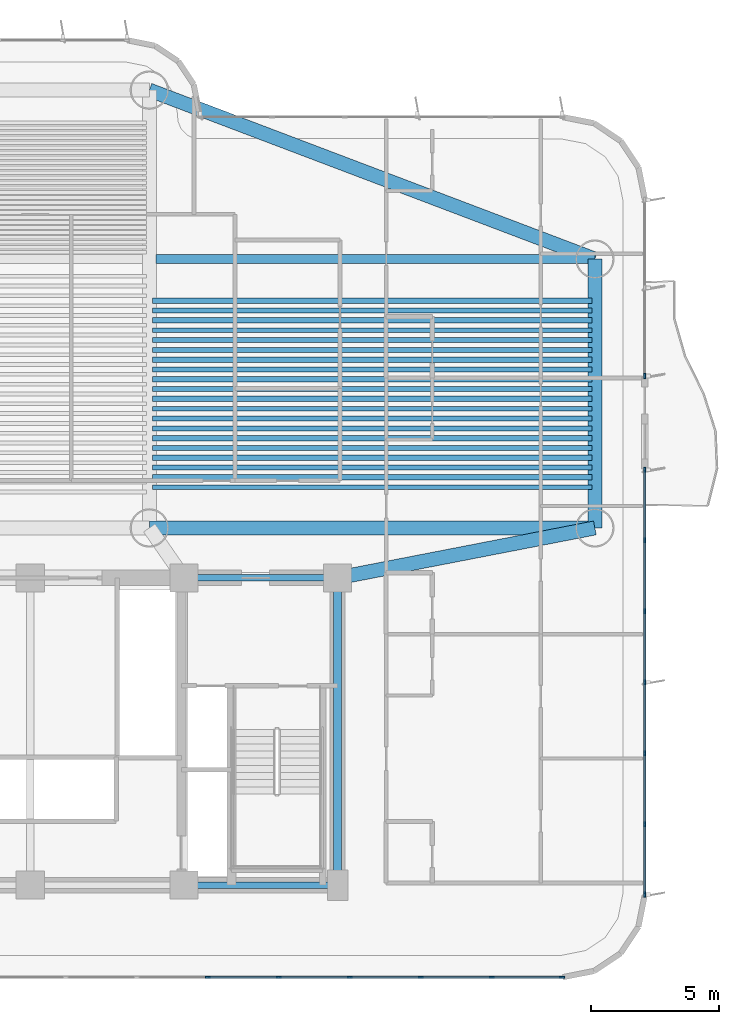
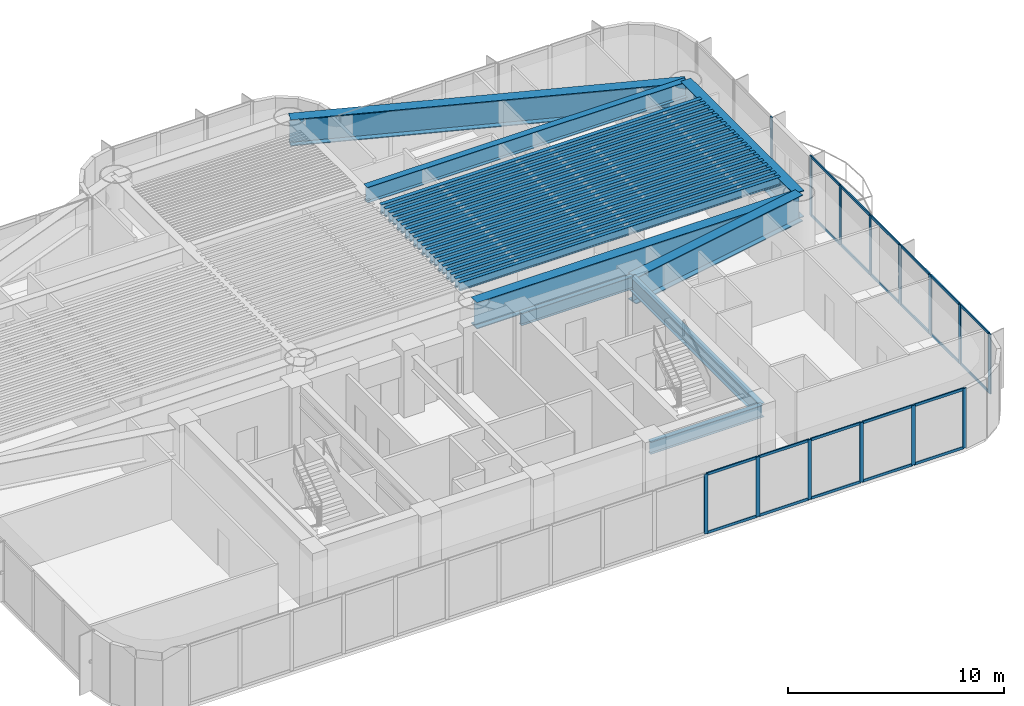
# One storey, part 4 of 17: 36 members, 28 beams, 3 elements without a shape of their own.
"""IFC4 building model written with IfcOpenShell, lengths in metres."""

from ifc_helpers import new_model, si_unit, direction, frame, origin, origin_2d, place, context, subcontext, project, spatial, rectangle, i_section, extrude, source, transform, mapped, material, layer, layer_set, material_profile, profile_set, type_object, element, aggregate, save


model = new_model("IFC4")

# Units and contexts
model_context = context("Model", 3, precision=1e-05, world=origin(), true_north=direction((0.0, 1.0)))
body_context = subcontext(model_context, "Body", "Model", "MODEL_VIEW")
ifc_project = project(units=[si_unit("LENGTHUNIT", "METRE"), si_unit("AREAUNIT", "SQUARE_METRE"), si_unit("VOLUMEUNIT", "CUBIC_METRE"), si_unit("PLANEANGLEUNIT", "RADIAN"), si_unit("MASSUNIT", "GRAM", prefix="KILO")], contexts=[model_context])

# Site, building, storey
site_placement = place(None, origin())
site = spatial("IfcSite", under=ifc_project, at=site_placement, CompositionType="ELEMENT")
building_placement = place(site_placement, origin())
building = spatial("IfcBuilding", under=site, at=building_placement, Name="Brelvock Crest Care Tower", CompositionType="ELEMENT")
storey_placement = place(building_placement, frame((0.0, 0.0, 76.139892578125)))
storey = spatial("IfcBuildingStorey", under=building, at=storey_placement, Name="L19", CompositionType="ELEMENT", Elevation=76.139892578125)

# Beams
ifc_material_1 = material(Name="Steel Grade 350", Category="steel")
ifc_material_profile_1 = material_profile(ifc_material_1, i_section(OverallWidth=0.25, OverallDepth=0.699951171875, WebThickness=0.011962890625, FlangeThickness=0.02001953125, at=origin_2d()), Name="700WB150")
ifc_profile_set_1 = profile_set([ifc_material_profile_1], Name="Steel Grade 350")
beam_type_1 = type_object("IfcBeamType", Name="BM-G4", PredefinedType="BEAM", material=ifc_profile_set_1)
shared_shape_1 = source(origin(), body_context, "Body", "SweptSolid", [
    extrude(i_section(OverallWidth=0.25, OverallDepth=0.699951171875, WebThickness=0.011962890625, FlangeThickness=0.02001953125, at=origin_2d()), origin(), (0.0, 0.0, 1.0), 6.0),
])
for number, where, z_axis, x_axis, name in (
    (1, (42.0, 6.0, 3.022216796875), (1.0, 0.0, 0.0), (0.0, 1.0, 0.0), "BM-CORES-L19-4"),
    (2, (42.0, 18.0, 3.022216796875), (1.0, 0.0, 0.0), (0.0, 1.0, 0.0), "BM-COREN-L19-4"),
):
    element("IfcBeam", number, at=place(storey_placement, frame(where, z_axis=z_axis, x_axis=x_axis)), inside=storey, type_object=beam_type_1, Name=name, PredefinedType="BEAM", context=body_context, shape_type="MappedRepresentation", body=[
        mapped(shared_shape_1, transform((0.0, 0.0, 0.0), x_axis=(1.0, 0.0, 0.0), y_axis=(0.0, 1.0, 0.0), z_axis=(0.0, 0.0, 1.0), scale=1.0)),
    ])
ifc_material_profile_2 = material_profile(ifc_material_1, i_section(OverallWidth=0.300048828125, OverallDepth=0.800048828125, WebThickness=0.013916015625, FlangeThickness=0.02197265625, at=origin_2d()), Name="800WB192")
ifc_profile_set_2 = profile_set([ifc_material_profile_2], Name="Steel Grade 350")
beam_type_2 = type_object("IfcBeamType", Name="BM-G5", PredefinedType="BEAM", material=ifc_profile_set_2)
shared_shape_2 = source(origin(), body_context, "Body", "SweptSolid", [
    extrude(i_section(OverallWidth=0.300048828125, OverallDepth=0.800048828125, WebThickness=0.013916015625, FlangeThickness=0.02197265625, at=origin_2d()), origin(), (0.0, 0.0, 1.0), 12.0),
])
beam_1_placement = place(storey_placement, frame((48.0, 6.0, 2.97216796875), z_axis=(0.0, 1.0, 0.0), x_axis=(-1.0, 0.0, 0.0)))
element("IfcBeam", 3, at=beam_1_placement, inside=storey, type_object=beam_type_2, Name="BM-COREX-L19-5", PredefinedType="BEAM", context=body_context, shape_type="MappedRepresentation", body=[
    mapped(shared_shape_2, transform((0.0, 0.0, 0.0), x_axis=(1.0, 0.0, 0.0), y_axis=(0.0, 1.0, 0.0), z_axis=(0.0, 0.0, 1.0), scale=1.0)),
])
ifc_material_profile_3 = material_profile(ifc_material_1, i_section(OverallWidth=0.208984375, OverallDepth=0.532958984375, WebThickness=0.01025390625, FlangeThickness=0.015625, FilletRadius=0.013916015625, at=origin_2d()), Name="530UB92.4")
ifc_profile_set_3 = profile_set([ifc_material_profile_3], Name="Steel Grade 350")
beam_type_3 = type_object("IfcBeamType", Name="BM-G2", PredefinedType="BEAM", material=ifc_profile_set_3)
shared_shape_3 = source(origin(), body_context, "Body", "SweptSolid", [
    extrude(i_section(OverallWidth=0.208984375, OverallDepth=0.532958984375, WebThickness=0.01025390625, FlangeThickness=0.015625, FilletRadius=0.013916015625, at=origin_2d()), origin(), (0.0, 0.0, 1.0), 17.170166015625),
])
for number, where, z_axis, x_axis, name in (
    (4, (40.764892578125, 21.924072265625, 3.105712890625), (1.0, 0.0, 0.0), (0.0, 1.0, 0.0), "BM-JE-L19-5"),
    (5, (40.764892578125, 22.6904296875, 3.105712890625), (1.0, 0.0, 0.0), (0.0, 1.0, 0.0), "BM-JE-L19-7"),
    (6, (40.764892578125, 23.45703125, 3.105712890625), (1.0, 0.0, 0.0), (0.0, 1.0, 0.0), "BM-JE-L19-9"),
    (7, (40.764892578125, 24.223388671875, 3.105712890625), (1.0, 0.0, 0.0), (0.0, 1.0, 0.0), "BM-JE-L19-11"),
    (8, (40.764892578125, 24.989990234375, 3.105712890625), (1.0, 0.0, 0.0), (0.0, 1.0, 0.0), "BM-JE-L19-13"),
    (9, (40.764892578125, 25.756591796875, 3.105712890625), (1.0, 0.0, 0.0), (0.0, 1.0, 0.0), "BM-JE-L19-15"),
    (10, (40.764892578125, 26.52294921875, 3.105712890625), (1.0, 0.0, 0.0), (0.0, 1.0, 0.0), "BM-JE-L19-17"),
    (11, (40.764892578125, 27.28955078125, 3.105712890625), (1.0, 0.0, 0.0), (0.0, 1.0, 0.0), "BM-JE-L19-19"),
    (12, (40.764892578125, 28.055908203125, 3.105712890625), (1.0, 0.0, 0.0), (0.0, 1.0, 0.0), "BM-JE-L19-21"),
    (13, (40.764892578125, 28.822509765625, 3.105712890625), (1.0, 0.0, 0.0), (0.0, 1.0, 0.0), "BM-JE-L19-23"),
):
    element("IfcBeam", number, at=place(storey_placement, frame(where, z_axis=z_axis, x_axis=x_axis)), inside=storey, type_object=beam_type_3, Name=name, PredefinedType="BEAM", context=body_context, shape_type="MappedRepresentation", body=[
        mapped(shared_shape_3, transform((0.0, 0.0, 0.0), x_axis=(1.0, 0.0, 0.0), y_axis=(0.0, 1.0, 0.0), z_axis=(0.0, 0.0, 1.0), scale=1.0)),
    ])
ifc_material_profile_4 = material_profile(ifc_material_1, i_section(OverallWidth=0.19091796875, OverallDepth=0.4599609375, WebThickness=0.010009765625, FlangeThickness=0.01611328125, FilletRadius=0.011474609375, at=origin_2d()), Name="460UB82.1")
ifc_profile_set_4 = profile_set([ifc_material_profile_4], Name="Steel Grade 350")
beam_type_4 = type_object("IfcBeamType", Name="BM-G3", PredefinedType="BEAM", material=ifc_profile_set_4)
shared_shape_4 = source(origin(), body_context, "Body", "SweptSolid", [
    extrude(i_section(OverallWidth=0.19091796875, OverallDepth=0.4599609375, WebThickness=0.010009765625, FlangeThickness=0.01611328125, FilletRadius=0.011474609375, at=origin_2d()), origin(), (0.0, 0.0, 1.0), 17.170166015625),
])
for number, where, z_axis, x_axis, name in (
    (14, (40.764892578125, 21.540771484375, 3.14208984375), (1.0, 0.0, 0.0), (0.0, 1.0, 0.0), "BM-JE-L19-4"),
    (15, (40.764892578125, 22.30712890625, 3.14208984375), (1.0, 0.0, 0.0), (0.0, 1.0, 0.0), "BM-JE-L19-6"),
    (16, (40.764892578125, 23.07373046875, 3.14208984375), (1.0, 0.0, 0.0), (0.0, 1.0, 0.0), "BM-JE-L19-8"),
    (17, (40.764892578125, 23.840087890625, 3.14208984375), (1.0, 0.0, 0.0), (0.0, 1.0, 0.0), "BM-JE-L19-10"),
    (18, (40.764892578125, 24.606689453125, 3.14208984375), (1.0, 0.0, 0.0), (0.0, 1.0, 0.0), "BM-JE-L19-12"),
    (19, (40.764892578125, 25.373291015625, 3.14208984375), (1.0, 0.0, 0.0), (0.0, 1.0, 0.0), "BM-JE-L19-14"),
    (20, (40.764892578125, 26.1396484375, 3.14208984375), (1.0, 0.0, 0.0), (0.0, 1.0, 0.0), "BM-JE-L19-16"),
    (21, (40.764892578125, 26.90625, 3.14208984375), (1.0, 0.0, 0.0), (0.0, 1.0, 0.0), "BM-JE-L19-18"),
    (22, (40.764892578125, 27.6728515625, 3.14208984375), (1.0, 0.0, 0.0), (0.0, 1.0, 0.0), "BM-JE-L19-20"),
    (23, (40.764892578125, 28.439208984375, 3.14208984375), (1.0, 0.0, 0.0), (0.0, 1.0, 0.0), "BM-JE-L19-22"),
):
    element("IfcBeam", number, at=place(storey_placement, frame(where, z_axis=z_axis, x_axis=x_axis)), inside=storey, type_object=beam_type_4, Name=name, PredefinedType="BEAM", context=body_context, shape_type="MappedRepresentation", body=[
        mapped(shared_shape_4, transform((0.0, 0.0, 0.0), x_axis=(1.0, 0.0, 0.0), y_axis=(0.0, 1.0, 0.0), z_axis=(0.0, 0.0, 1.0), scale=1.0)),
    ])
ifc_material_profile_5 = material_profile(ifc_material_1, i_section(OverallWidth=0.550048828125, OverallDepth=1.5, WebThickness=0.02392578125, FlangeThickness=0.044921875, at=origin_2d()), Name="1500TG580")
ifc_profile_set_5 = profile_set([ifc_material_profile_5], Name="Steel Grade 350")
beam_type_5 = type_object("IfcBeamType", Name="BM-TG2", PredefinedType="USERDEFINED", material=ifc_profile_set_5)
shared_shape_5 = source(origin(), body_context, "Body", "SweptSolid", [
    extrude(i_section(OverallWidth=0.550048828125, OverallDepth=1.5, WebThickness=0.02392578125, FlangeThickness=0.044921875, at=origin_2d()), origin(), (0.0, 0.0, 1.0), 10.5),
])
beam_2_placement = place(storey_placement, frame((58.050048828125, 19.949951171875, 2.6220703125), z_axis=(0.0, 1.0, 0.0), x_axis=(-1.0, 0.0, 0.0)))
element("IfcBeam", 24, at=beam_2_placement, inside=storey, type_object=beam_type_5, Name="BM-TWR-L19-02", ObjectType="GIRDER", PredefinedType="USERDEFINED", context=body_context, shape_type="MappedRepresentation", body=[
    mapped(shared_shape_5, transform((0.0, 0.0, 0.0), x_axis=(1.0, 0.0, 0.0), y_axis=(0.0, 1.0, 0.0), z_axis=(0.0, 0.0, 1.0), scale=1.0)),
])
shared_shape_6 = source(origin(), body_context, "Body", "SweptSolid", [
    extrude(i_section(OverallWidth=0.550048828125, OverallDepth=1.5, WebThickness=0.02392578125, FlangeThickness=0.044921875, at=origin_2d()), origin(), (0.0, 0.0, 1.0), 17.400146484375),
])
beam_3_placement = place(storey_placement, frame((40.64990234375, 19.949951171875, 2.6220703125), z_axis=(1.0, 0.0, 0.0), x_axis=(0.0, 1.0, 0.0)))
element("IfcBeam", 25, at=beam_3_placement, inside=storey, type_object=beam_type_5, Name="BM-TWR-L19-04", ObjectType="GIRDER", PredefinedType="USERDEFINED", context=body_context, shape_type="MappedRepresentation", body=[
    mapped(shared_shape_6, transform((0.0, 0.0, 0.0), x_axis=(1.0, 0.0, 0.0), y_axis=(0.0, 1.0, 0.0), z_axis=(0.0, 0.0, 1.0), scale=1.0)),
])
shared_shape_7 = source(origin(), body_context, "Body", "SweptSolid", [
    extrude(i_section(OverallWidth=0.550048828125, OverallDepth=1.5, WebThickness=0.02392578125, FlangeThickness=0.044921875, at=origin_2d()), origin(), (0.0, 0.0, 1.0), 18.60986328125),
])
beam_4_placement = place(storey_placement, frame((40.64990234375, 37.050048828125, 2.6220703125), z_axis=(0.934996776275, -0.3546562115, 0.0), x_axis=(0.3546562115, 0.934996776275, 0.0)))
element("IfcBeam", 26, at=beam_4_placement, inside=storey, type_object=beam_type_5, Name="BM-TWR-L19-07", ObjectType="GIRDER", PredefinedType="USERDEFINED", context=body_context, shape_type="MappedRepresentation", body=[
    mapped(shared_shape_7, transform((0.0, 0.0, 0.0), x_axis=(1.0, 0.0, 0.0), y_axis=(0.0, 1.0, 0.0), z_axis=(0.0, 0.0, 1.0), scale=1.0)),
])
ifc_material_profile_6 = material_profile(ifc_material_1, i_section(OverallWidth=0.35009765625, OverallDepth=0.89990234375, WebThickness=0.01611328125, FlangeThickness=0.028076171875, at=origin_2d()), Name="900WB257")
ifc_profile_set_6 = profile_set([ifc_material_profile_6], Name="Steel Grade 350")
beam_type_6 = type_object("IfcBeamType", Name="BM-G6", PredefinedType="BEAM", material=ifc_profile_set_6)
shared_shape_8 = source(origin(), body_context, "Body", "SweptSolid", [
    extrude(i_section(OverallWidth=0.35009765625, OverallDepth=0.89990234375, WebThickness=0.01611328125, FlangeThickness=0.028076171875, at=origin_2d()), origin(), (0.0, 0.0, 1.0), 17.14013671875),
])
beam_5_placement = place(storey_placement, frame((40.909912109375, 30.449951171875, 2.922119140625), z_axis=(1.0, 0.0, 0.0), x_axis=(0.0, 1.0, 0.0)))
element("IfcBeam", 27, at=beam_5_placement, inside=storey, type_object=beam_type_6, Name="BM-TIE-L19-E", PredefinedType="BEAM", context=body_context, shape_type="MappedRepresentation", body=[
    mapped(shared_shape_8, transform((0.0, 0.0, 0.0), x_axis=(1.0, 0.0, 0.0), y_axis=(0.0, 1.0, 0.0), z_axis=(0.0, 0.0, 1.0), scale=1.0)),
])
shared_shape_9 = source(origin(), body_context, "Body", "SweptSolid", [
    extrude(i_section(OverallWidth=0.550048828125, OverallDepth=1.5, WebThickness=0.02392578125, FlangeThickness=0.044921875, at=origin_2d()), origin(), (0.0, 0.0, 1.0), 10.237548828125),
])
beam_6_placement = place(storey_placement, frame((48.0, 18.0, 2.6220703125), z_axis=(0.981692632568, 0.190471979991, 0.0), x_axis=(-0.190471979991, 0.981692632568, 0.0)))
element("IfcBeam", 28, at=beam_6_placement, inside=storey, type_object=beam_type_5, Name="BM-THRO-E-L19", ObjectType="GIRDER", PredefinedType="USERDEFINED", context=body_context, shape_type="MappedRepresentation", body=[
    mapped(shared_shape_9, transform((0.0, 0.0, 0.0), x_axis=(1.0, 0.0, 0.0), y_axis=(0.0, 1.0, 0.0), z_axis=(0.0, 0.0, 1.0), scale=1.0)),
])

# Curtain wall, members
ifc_material_2 = material(Name="Dark Glass Double Glazed Low-E", Category="glass")
ifc_layer = layer(ifc_material_2, 0.195068359375, Name="CWS-2")
ifc_layer_set = layer_set([ifc_layer], Name="Dark Glass Double Glazed Low-E")
curtain_wall_type = type_object("IfcCurtainWallType", Name="CWS-2", PredefinedType="NOTDEFINED", material=ifc_layer_set)
curtain_wall_1_placement = place(storey_placement, origin())
curtain_wall_1 = element("IfcCurtainWall", 29, at=curtain_wall_1_placement, inside=storey, type_object=curtain_wall_type, Name="L19 Curtain Wall E08", PredefinedType="NOTDEFINED")
ifc_material_3 = material(Name="Aluminium 6063-T6", Category="aluminium")
ifc_material_profile_7 = material_profile(ifc_material_3, rectangle(XDim=0.06494140625, YDim=0.14990234375, at=origin_2d()), Name="ALU65x150")
ifc_profile_set_7 = profile_set([ifc_material_profile_7], Name="Aluminium 6063-T6")
member_type_1 = type_object("IfcMemberType", Name="CWT-1", PredefinedType="USERDEFINED", material=ifc_profile_set_7)
shared_shape_10 = source(origin(), body_context, "Body", "SweptSolid", [
    extrude(rectangle(XDim=0.06494140625, YDim=0.14990234375, at=origin_2d()), origin(), (0.0, 0.0, 1.0), 2.676025390625),
])
member_1_placement = place(storey_placement, frame((56.735107421875, 2.39990234375, 0.03271484375), z_axis=(-1.0, 0.0, 0.0), x_axis=(0.0, -1.0, 0.0)))
member_1 = element("IfcMember", 30, at=member_1_placement, type_object=member_type_1, Name="CW-2 transom 1.1", ObjectType="TRANSOM", PredefinedType="USERDEFINED", context=body_context, shape_type="MappedRepresentation", body=[
    mapped(shared_shape_10, transform((0.0, 0.0, 0.0), x_axis=(1.0, 0.0, 0.0), y_axis=(0.0, 1.0, 0.0), z_axis=(0.0, 0.0, 1.0), scale=1.0)),
])
member_2_placement = place(storey_placement, frame((56.735107421875, 2.39990234375, 3.339599609375), z_axis=(-1.0, 0.0, 0.0), x_axis=(0.0, -1.0, 0.0)))
member_2 = element("IfcMember", 31, at=member_2_placement, type_object=member_type_1, Name="CW-2 transom 1.2", ObjectType="TRANSOM", PredefinedType="USERDEFINED", context=body_context, shape_type="MappedRepresentation", body=[
    mapped(shared_shape_10, transform((0.0, 0.0, 0.0), x_axis=(1.0, 0.0, 0.0), y_axis=(0.0, 1.0, 0.0), z_axis=(0.0, 0.0, 1.0), scale=1.0)),
])
shared_shape_11 = source(origin(), body_context, "Body", "SweptSolid", [
    extrude(rectangle(XDim=0.06494140625, YDim=0.14990234375, at=origin_2d()), origin(), (0.0, 0.0, 1.0), 2.708251953125),
])
member_3_placement = place(storey_placement, frame((53.994140625, 2.39990234375, 0.03271484375), z_axis=(-1.0, 0.0, 0.0), x_axis=(0.0, -1.0, 0.0)))
member_3 = element("IfcMember", 32, at=member_3_placement, type_object=member_type_1, Name="CW-2 transom 2.1", ObjectType="TRANSOM", PredefinedType="USERDEFINED", context=body_context, shape_type="MappedRepresentation", body=[
    mapped(shared_shape_11, transform((0.0, 0.0, 0.0), x_axis=(1.0, 0.0, 0.0), y_axis=(0.0, 1.0, 0.0), z_axis=(0.0, 0.0, 1.0), scale=1.0)),
])
member_4_placement = place(storey_placement, frame((53.994140625, 2.39990234375, 3.339599609375), z_axis=(-1.0, 0.0, 0.0), x_axis=(0.0, -1.0, 0.0)))
member_4 = element("IfcMember", 33, at=member_4_placement, type_object=member_type_1, Name="CW-2 transom 2.2", ObjectType="TRANSOM", PredefinedType="USERDEFINED", context=body_context, shape_type="MappedRepresentation", body=[
    mapped(shared_shape_11, transform((0.0, 0.0, 0.0), x_axis=(1.0, 0.0, 0.0), y_axis=(0.0, 1.0, 0.0), z_axis=(0.0, 0.0, 1.0), scale=1.0)),
])
member_5_placement = place(storey_placement, frame((48.447509765625, 2.39990234375, 0.03271484375), z_axis=(-1.0, 0.0, 0.0), x_axis=(0.0, -1.0, 0.0)))
member_5 = element("IfcMember", 34, at=member_5_placement, type_object=member_type_1, Name="CW-2 transom 4.1", ObjectType="TRANSOM", PredefinedType="USERDEFINED", context=body_context, shape_type="MappedRepresentation", body=[
    mapped(shared_shape_11, transform((0.0, 0.0, 0.0), x_axis=(1.0, 0.0, 0.0), y_axis=(0.0, 1.0, 0.0), z_axis=(0.0, 0.0, 1.0), scale=1.0)),
])
member_6_placement = place(storey_placement, frame((48.447509765625, 2.39990234375, 3.339599609375), z_axis=(-1.0, 0.0, 0.0), x_axis=(0.0, -1.0, 0.0)))
member_6 = element("IfcMember", 35, at=member_6_placement, type_object=member_type_1, Name="CW-2 transom 4.2", ObjectType="TRANSOM", PredefinedType="USERDEFINED", context=body_context, shape_type="MappedRepresentation", body=[
    mapped(shared_shape_11, transform((0.0, 0.0, 0.0), x_axis=(1.0, 0.0, 0.0), y_axis=(0.0, 1.0, 0.0), z_axis=(0.0, 0.0, 1.0), scale=1.0)),
])
member_7_placement = place(storey_placement, frame((45.674072265625, 2.39990234375, 0.03271484375), z_axis=(-1.0, 0.0, 0.0), x_axis=(0.0, -1.0, 0.0)))
member_7 = element("IfcMember", 36, at=member_7_placement, type_object=member_type_1, Name="CW-2 transom 5.1", ObjectType="TRANSOM", PredefinedType="USERDEFINED", context=body_context, shape_type="MappedRepresentation", body=[
    mapped(shared_shape_11, transform((0.0, 0.0, 0.0), x_axis=(1.0, 0.0, 0.0), y_axis=(0.0, 1.0, 0.0), z_axis=(0.0, 0.0, 1.0), scale=1.0)),
])
member_8_placement = place(storey_placement, frame((45.674072265625, 2.39990234375, 3.339599609375), z_axis=(-1.0, 0.0, 0.0), x_axis=(0.0, -1.0, 0.0)))
member_8 = element("IfcMember", 37, at=member_8_placement, type_object=member_type_1, Name="CW-2 transom 5.2", ObjectType="TRANSOM", PredefinedType="USERDEFINED", context=body_context, shape_type="MappedRepresentation", body=[
    mapped(shared_shape_11, transform((0.0, 0.0, 0.0), x_axis=(1.0, 0.0, 0.0), y_axis=(0.0, 1.0, 0.0), z_axis=(0.0, 0.0, 1.0), scale=1.0)),
])
shared_shape_12 = source(origin(), body_context, "Body", "SweptSolid", [
    extrude(rectangle(XDim=0.06494140625, YDim=0.14990234375, at=origin_2d()), origin(), (0.0, 0.0, 1.0), 2.70849609375),
])
member_9_placement = place(storey_placement, frame((51.220947265625, 2.39990234375, 0.03271484375), z_axis=(-1.0, 0.0, 0.0), x_axis=(0.0, -1.0, 0.0)))
member_9 = element("IfcMember", 38, at=member_9_placement, type_object=member_type_1, Name="CW-2 transom 3.1", ObjectType="TRANSOM", PredefinedType="USERDEFINED", context=body_context, shape_type="MappedRepresentation", body=[
    mapped(shared_shape_12, transform((0.0, 0.0, 0.0), x_axis=(1.0, 0.0, 0.0), y_axis=(0.0, 1.0, 0.0), z_axis=(0.0, 0.0, 1.0), scale=1.0)),
])
member_10_placement = place(storey_placement, frame((51.220947265625, 2.39990234375, 3.339599609375), z_axis=(-1.0, 0.0, 0.0), x_axis=(0.0, -1.0, 0.0)))
member_10 = element("IfcMember", 39, at=member_10_placement, type_object=member_type_1, Name="CW-2 transom 3.2", ObjectType="TRANSOM", PredefinedType="USERDEFINED", context=body_context, shape_type="MappedRepresentation", body=[
    mapped(shared_shape_12, transform((0.0, 0.0, 0.0), x_axis=(1.0, 0.0, 0.0), y_axis=(0.0, 1.0, 0.0), z_axis=(0.0, 0.0, 1.0), scale=1.0)),
])

curtain_wall_2_placement = place(storey_placement, origin())
curtain_wall_2 = element("IfcCurtainWall", 40, at=curtain_wall_2_placement, inside=storey, type_object=curtain_wall_type, Name="L19 Curtain Wall E03B", PredefinedType="NOTDEFINED")
shared_shape_13 = source(origin(), body_context, "Body", "SweptSolid", [
    extrude(rectangle(XDim=0.06494140625, YDim=0.14990234375, at=origin_2d()), origin(), (0.0, 0.0, 1.0), 2.677490234375),
])
member_11_placement = place(storey_placement, frame((60.0, 22.18505859375, 0.03271484375), z_axis=(0.0, -1.0, 0.0), x_axis=(1.0, 0.0, 0.0)))
member_11 = element("IfcMember", 41, at=member_11_placement, type_object=member_type_1, Name="CW-2 transom 1.1", ObjectType="TRANSOM", PredefinedType="USERDEFINED", context=body_context, shape_type="MappedRepresentation", body=[
    mapped(shared_shape_13, transform((0.0, 0.0, 0.0), x_axis=(1.0, 0.0, 0.0), y_axis=(0.0, 1.0, 0.0), z_axis=(0.0, 0.0, 1.0), scale=1.0)),
])
member_12_placement = place(storey_placement, frame((60.0, 22.18505859375, 3.339599609375), z_axis=(0.0, -1.0, 0.0), x_axis=(1.0, 0.0, 0.0)))
member_12 = element("IfcMember", 42, at=member_12_placement, type_object=member_type_1, Name="CW-2 transom 1.2", ObjectType="TRANSOM", PredefinedType="USERDEFINED", context=body_context, shape_type="MappedRepresentation", body=[
    mapped(shared_shape_13, transform((0.0, 0.0, 0.0), x_axis=(1.0, 0.0, 0.0), y_axis=(0.0, 1.0, 0.0), z_axis=(0.0, 0.0, 1.0), scale=1.0)),
])
member_13_placement = place(storey_placement, frame((60.0, 8.342529296875, 0.03271484375), z_axis=(0.0, -1.0, 0.0), x_axis=(1.0, 0.0, 0.0)))
member_13 = element("IfcMember", 43, at=member_13_placement, type_object=member_type_1, Name="CW-2 transom 6.1", ObjectType="TRANSOM", PredefinedType="USERDEFINED", context=body_context, shape_type="MappedRepresentation", body=[
    mapped(shared_shape_13, transform((0.0, 0.0, 0.0), x_axis=(1.0, 0.0, 0.0), y_axis=(0.0, 1.0, 0.0), z_axis=(0.0, 0.0, 1.0), scale=1.0)),
])
member_14_placement = place(storey_placement, frame((60.0, 8.342529296875, 3.339599609375), z_axis=(0.0, -1.0, 0.0), x_axis=(1.0, 0.0, 0.0)))
member_14 = element("IfcMember", 44, at=member_14_placement, type_object=member_type_1, Name="CW-2 transom 6.2", ObjectType="TRANSOM", PredefinedType="USERDEFINED", context=body_context, shape_type="MappedRepresentation", body=[
    mapped(shared_shape_13, transform((0.0, 0.0, 0.0), x_axis=(1.0, 0.0, 0.0), y_axis=(0.0, 1.0, 0.0), z_axis=(0.0, 0.0, 1.0), scale=1.0)),
])
shared_shape_14 = source(origin(), body_context, "Body", "SweptSolid", [
    extrude(rectangle(XDim=0.06494140625, YDim=0.14990234375, at=origin_2d()), origin(), (0.0, 0.0, 1.0), 2.7099609375),
])
member_15_placement = place(storey_placement, frame((60.0, 19.4423828125, 0.03271484375), z_axis=(0.0, -1.0, 0.0), x_axis=(1.0, 0.0, 0.0)))
member_15 = element("IfcMember", 45, at=member_15_placement, type_object=member_type_1, Name="CW-2 transom 2.1", ObjectType="TRANSOM", PredefinedType="USERDEFINED", context=body_context, shape_type="MappedRepresentation", body=[
    mapped(shared_shape_14, transform((0.0, 0.0, 0.0), x_axis=(1.0, 0.0, 0.0), y_axis=(0.0, 1.0, 0.0), z_axis=(0.0, 0.0, 1.0), scale=1.0)),
])
member_16_placement = place(storey_placement, frame((60.0, 19.4423828125, 3.339599609375), z_axis=(0.0, -1.0, 0.0), x_axis=(1.0, 0.0, 0.0)))
member_16 = element("IfcMember", 46, at=member_16_placement, type_object=member_type_1, Name="CW-2 transom 2.2", ObjectType="TRANSOM", PredefinedType="USERDEFINED", context=body_context, shape_type="MappedRepresentation", body=[
    mapped(shared_shape_14, transform((0.0, 0.0, 0.0), x_axis=(1.0, 0.0, 0.0), y_axis=(0.0, 1.0, 0.0), z_axis=(0.0, 0.0, 1.0), scale=1.0)),
])
member_17_placement = place(storey_placement, frame((60.0, 16.66748046875, 0.03271484375), z_axis=(0.0, -1.0, 0.0), x_axis=(1.0, 0.0, 0.0)))
member_17 = element("IfcMember", 47, at=member_17_placement, type_object=member_type_1, Name="CW-2 transom 3.1", ObjectType="TRANSOM", PredefinedType="USERDEFINED", context=body_context, shape_type="MappedRepresentation", body=[
    mapped(shared_shape_14, transform((0.0, 0.0, 0.0), x_axis=(1.0, 0.0, 0.0), y_axis=(0.0, 1.0, 0.0), z_axis=(0.0, 0.0, 1.0), scale=1.0)),
])
member_18_placement = place(storey_placement, frame((60.0, 16.66748046875, 3.339599609375), z_axis=(0.0, -1.0, 0.0), x_axis=(1.0, 0.0, 0.0)))
member_18 = element("IfcMember", 48, at=member_18_placement, type_object=member_type_1, Name="CW-2 transom 3.2", ObjectType="TRANSOM", PredefinedType="USERDEFINED", context=body_context, shape_type="MappedRepresentation", body=[
    mapped(shared_shape_14, transform((0.0, 0.0, 0.0), x_axis=(1.0, 0.0, 0.0), y_axis=(0.0, 1.0, 0.0), z_axis=(0.0, 0.0, 1.0), scale=1.0)),
])
member_19_placement = place(storey_placement, frame((60.0, 13.892578125, 0.03271484375), z_axis=(0.0, -1.0, 0.0), x_axis=(1.0, 0.0, 0.0)))
member_19 = element("IfcMember", 49, at=member_19_placement, type_object=member_type_1, Name="CW-2 transom 4.1", ObjectType="TRANSOM", PredefinedType="USERDEFINED", context=body_context, shape_type="MappedRepresentation", body=[
    mapped(shared_shape_14, transform((0.0, 0.0, 0.0), x_axis=(1.0, 0.0, 0.0), y_axis=(0.0, 1.0, 0.0), z_axis=(0.0, 0.0, 1.0), scale=1.0)),
])
member_20_placement = place(storey_placement, frame((60.0, 13.892578125, 3.339599609375), z_axis=(0.0, -1.0, 0.0), x_axis=(1.0, 0.0, 0.0)))
member_20 = element("IfcMember", 50, at=member_20_placement, type_object=member_type_1, Name="CW-2 transom 4.2", ObjectType="TRANSOM", PredefinedType="USERDEFINED", context=body_context, shape_type="MappedRepresentation", body=[
    mapped(shared_shape_14, transform((0.0, 0.0, 0.0), x_axis=(1.0, 0.0, 0.0), y_axis=(0.0, 1.0, 0.0), z_axis=(0.0, 0.0, 1.0), scale=1.0)),
])
member_21_placement = place(storey_placement, frame((60.0, 11.117431640625, 0.03271484375), z_axis=(0.0, -1.0, 0.0), x_axis=(1.0, 0.0, 0.0)))
member_21 = element("IfcMember", 51, at=member_21_placement, type_object=member_type_1, Name="CW-2 transom 5.1", ObjectType="TRANSOM", PredefinedType="USERDEFINED", context=body_context, shape_type="MappedRepresentation", body=[
    mapped(shared_shape_14, transform((0.0, 0.0, 0.0), x_axis=(1.0, 0.0, 0.0), y_axis=(0.0, 1.0, 0.0), z_axis=(0.0, 0.0, 1.0), scale=1.0)),
])
member_22_placement = place(storey_placement, frame((60.0, 11.117431640625, 3.339599609375), z_axis=(0.0, -1.0, 0.0), x_axis=(1.0, 0.0, 0.0)))
member_22 = element("IfcMember", 52, at=member_22_placement, type_object=member_type_1, Name="CW-2 transom 5.2", ObjectType="TRANSOM", PredefinedType="USERDEFINED", context=body_context, shape_type="MappedRepresentation", body=[
    mapped(shared_shape_14, transform((0.0, 0.0, 0.0), x_axis=(1.0, 0.0, 0.0), y_axis=(0.0, 1.0, 0.0), z_axis=(0.0, 0.0, 1.0), scale=1.0)),
])

# Curtain wall, member
curtain_wall_3_placement = place(storey_placement, origin())
curtain_wall_3 = element("IfcCurtainWall", 53, at=curtain_wall_3_placement, inside=storey, type_object=curtain_wall_type, Name="L19 Curtain Wall E03A", PredefinedType="NOTDEFINED")
ifc_material_profile_8 = material_profile(ifc_material_3, rectangle(XDim=0.06494140625, YDim=0.199951171875, at=origin_2d()), Name="ALU65x200")
ifc_profile_set_8 = profile_set([ifc_material_profile_8], Name="Aluminium 6063-T6")
member_type_2 = type_object("IfcMemberType", Name="CWM-1", PredefinedType="MULLION", material=ifc_profile_set_8)
shared_shape_15 = source(origin(), body_context, "Body", "SweptSolid", [
    extrude(rectangle(XDim=0.06494140625, YDim=0.199951171875, at=origin_2d()), origin(), (0.0, 0.0, 1.0), 3.3720703125),
])
member_23_placement = place(storey_placement, frame((60.0, 25.882568359375, 0.0), z_axis=(0.0, 0.0, 1.0), x_axis=(1.0, 0.0, 0.0)))
member_23 = element("IfcMember", 54, at=member_23_placement, type_object=member_type_2, Name="CW-2 mullion 3", PredefinedType="MULLION", context=body_context, shape_type="MappedRepresentation", body=[
    mapped(shared_shape_15, transform((0.0, 0.0, 0.0), x_axis=(1.0, 0.0, 0.0), y_axis=(0.0, 1.0, 0.0), z_axis=(0.0, 0.0, 1.0), scale=1.0)),
])
aggregate(curtain_wall_3, [member_23])

# Member
member_24_placement = place(storey_placement, frame((60.0, 22.217529296875, 0.0), z_axis=(0.0, 0.0, 1.0), x_axis=(1.0, 0.0, 0.0)))
member_24 = element("IfcMember", 55, at=member_24_placement, type_object=member_type_2, Name="CW-2 mullion 1", PredefinedType="MULLION", context=body_context, shape_type="MappedRepresentation", body=[
    mapped(shared_shape_15, transform((0.0, 0.0, 0.0), x_axis=(1.0, 0.0, 0.0), y_axis=(0.0, 1.0, 0.0), z_axis=(0.0, 0.0, 1.0), scale=1.0)),
])

member_25_placement = place(storey_placement, frame((60.0, 19.47509765625, 0.0), z_axis=(0.0, 0.0, 1.0), x_axis=(1.0, 0.0, 0.0)))
member_25 = element("IfcMember", 56, at=member_25_placement, type_object=member_type_2, Name="CW-2 mullion 2", PredefinedType="MULLION", context=body_context, shape_type="MappedRepresentation", body=[
    mapped(shared_shape_15, transform((0.0, 0.0, 0.0), x_axis=(1.0, 0.0, 0.0), y_axis=(0.0, 1.0, 0.0), z_axis=(0.0, 0.0, 1.0), scale=1.0)),
])

member_26_placement = place(storey_placement, frame((60.0, 16.699951171875, 0.0), z_axis=(0.0, 0.0, 1.0), x_axis=(1.0, 0.0, 0.0)))
member_26 = element("IfcMember", 57, at=member_26_placement, type_object=member_type_2, Name="CW-2 mullion 3", PredefinedType="MULLION", context=body_context, shape_type="MappedRepresentation", body=[
    mapped(shared_shape_15, transform((0.0, 0.0, 0.0), x_axis=(1.0, 0.0, 0.0), y_axis=(0.0, 1.0, 0.0), z_axis=(0.0, 0.0, 1.0), scale=1.0)),
])

member_27_placement = place(storey_placement, frame((60.0, 13.925048828125, 0.0), z_axis=(0.0, 0.0, 1.0), x_axis=(1.0, 0.0, 0.0)))
member_27 = element("IfcMember", 58, at=member_27_placement, type_object=member_type_2, Name="CW-2 mullion 4", PredefinedType="MULLION", context=body_context, shape_type="MappedRepresentation", body=[
    mapped(shared_shape_15, transform((0.0, 0.0, 0.0), x_axis=(1.0, 0.0, 0.0), y_axis=(0.0, 1.0, 0.0), z_axis=(0.0, 0.0, 1.0), scale=1.0)),
])

member_28_placement = place(storey_placement, frame((60.0, 11.14990234375, 0.0), z_axis=(0.0, 0.0, 1.0), x_axis=(1.0, 0.0, 0.0)))
member_28 = element("IfcMember", 59, at=member_28_placement, type_object=member_type_2, Name="CW-2 mullion 5", PredefinedType="MULLION", context=body_context, shape_type="MappedRepresentation", body=[
    mapped(shared_shape_15, transform((0.0, 0.0, 0.0), x_axis=(1.0, 0.0, 0.0), y_axis=(0.0, 1.0, 0.0), z_axis=(0.0, 0.0, 1.0), scale=1.0)),
])

member_29_placement = place(storey_placement, frame((60.0, 8.375, 0.0), z_axis=(0.0, 0.0, 1.0), x_axis=(1.0, 0.0, 0.0)))
member_29 = element("IfcMember", 60, at=member_29_placement, type_object=member_type_2, Name="CW-2 mullion 6", PredefinedType="MULLION", context=body_context, shape_type="MappedRepresentation", body=[
    mapped(shared_shape_15, transform((0.0, 0.0, 0.0), x_axis=(1.0, 0.0, 0.0), y_axis=(0.0, 1.0, 0.0), z_axis=(0.0, 0.0, 1.0), scale=1.0)),
])

member_30_placement = place(storey_placement, frame((60.0, 5.632568359375, 0.0), z_axis=(0.0, 0.0, 1.0), x_axis=(1.0, 0.0, 0.0)))
member_30 = element("IfcMember", 61, at=member_30_placement, type_object=member_type_2, Name="CW-2 mullion 7", PredefinedType="MULLION", context=body_context, shape_type="MappedRepresentation", body=[
    mapped(shared_shape_15, transform((0.0, 0.0, 0.0), x_axis=(1.0, 0.0, 0.0), y_axis=(0.0, 1.0, 0.0), z_axis=(0.0, 0.0, 1.0), scale=1.0)),
])

aggregate(curtain_wall_2, [member_24, member_25, member_26, member_27, member_28, member_29, member_30, member_11, member_12, member_15, member_16, member_17, member_18, member_19, member_20, member_21, member_22, member_13, member_14])

member_31_placement = place(storey_placement, frame((56.767578125, 2.39990234375, 0.0), z_axis=(0.0, 0.0, 1.0), x_axis=(0.0, -1.0, 0.0)))
member_31 = element("IfcMember", 62, at=member_31_placement, type_object=member_type_2, Name="CW-2 mullion 1", PredefinedType="MULLION", context=body_context, shape_type="MappedRepresentation", body=[
    mapped(shared_shape_15, transform((0.0, 0.0, 0.0), x_axis=(1.0, 0.0, 0.0), y_axis=(0.0, 1.0, 0.0), z_axis=(0.0, 0.0, 1.0), scale=1.0)),
])

member_32_placement = place(storey_placement, frame((54.026611328125, 2.39990234375, 0.0), z_axis=(0.0, 0.0, 1.0), x_axis=(0.0, -1.0, 0.0)))
member_32 = element("IfcMember", 63, at=member_32_placement, type_object=member_type_2, Name="CW-2 mullion 2", PredefinedType="MULLION", context=body_context, shape_type="MappedRepresentation", body=[
    mapped(shared_shape_15, transform((0.0, 0.0, 0.0), x_axis=(1.0, 0.0, 0.0), y_axis=(0.0, 1.0, 0.0), z_axis=(0.0, 0.0, 1.0), scale=1.0)),
])

member_33_placement = place(storey_placement, frame((51.25341796875, 2.39990234375, 0.0), z_axis=(0.0, 0.0, 1.0), x_axis=(0.0, -1.0, 0.0)))
member_33 = element("IfcMember", 64, at=member_33_placement, type_object=member_type_2, Name="CW-2 mullion 3", PredefinedType="MULLION", context=body_context, shape_type="MappedRepresentation", body=[
    mapped(shared_shape_15, transform((0.0, 0.0, 0.0), x_axis=(1.0, 0.0, 0.0), y_axis=(0.0, 1.0, 0.0), z_axis=(0.0, 0.0, 1.0), scale=1.0)),
])

member_34_placement = place(storey_placement, frame((48.47998046875, 2.39990234375, 0.0), z_axis=(0.0, 0.0, 1.0), x_axis=(0.0, -1.0, 0.0)))
member_34 = element("IfcMember", 65, at=member_34_placement, type_object=member_type_2, Name="CW-2 mullion 4", PredefinedType="MULLION", context=body_context, shape_type="MappedRepresentation", body=[
    mapped(shared_shape_15, transform((0.0, 0.0, 0.0), x_axis=(1.0, 0.0, 0.0), y_axis=(0.0, 1.0, 0.0), z_axis=(0.0, 0.0, 1.0), scale=1.0)),
])

member_35_placement = place(storey_placement, frame((45.706787109375, 2.39990234375, 0.0), z_axis=(0.0, 0.0, 1.0), x_axis=(0.0, -1.0, 0.0)))
member_35 = element("IfcMember", 66, at=member_35_placement, type_object=member_type_2, Name="CW-2 mullion 5", PredefinedType="MULLION", context=body_context, shape_type="MappedRepresentation", body=[
    mapped(shared_shape_15, transform((0.0, 0.0, 0.0), x_axis=(1.0, 0.0, 0.0), y_axis=(0.0, 1.0, 0.0), z_axis=(0.0, 0.0, 1.0), scale=1.0)),
])

member_36_placement = place(storey_placement, frame((42.933349609375, 2.39990234375, 0.0), z_axis=(0.0, 0.0, 1.0), x_axis=(0.0, -1.0, 0.0)))
member_36 = element("IfcMember", 67, at=member_36_placement, type_object=member_type_2, Name="CW-2 mullion 6", PredefinedType="MULLION", context=body_context, shape_type="MappedRepresentation", body=[
    mapped(shared_shape_15, transform((0.0, 0.0, 0.0), x_axis=(1.0, 0.0, 0.0), y_axis=(0.0, 1.0, 0.0), z_axis=(0.0, 0.0, 1.0), scale=1.0)),
])

aggregate(curtain_wall_1, [member_31, member_32, member_33, member_34, member_35, member_36, member_1, member_2, member_3, member_4, member_9, member_10, member_5, member_6, member_7, member_8])

save(model, "model.ifc")
